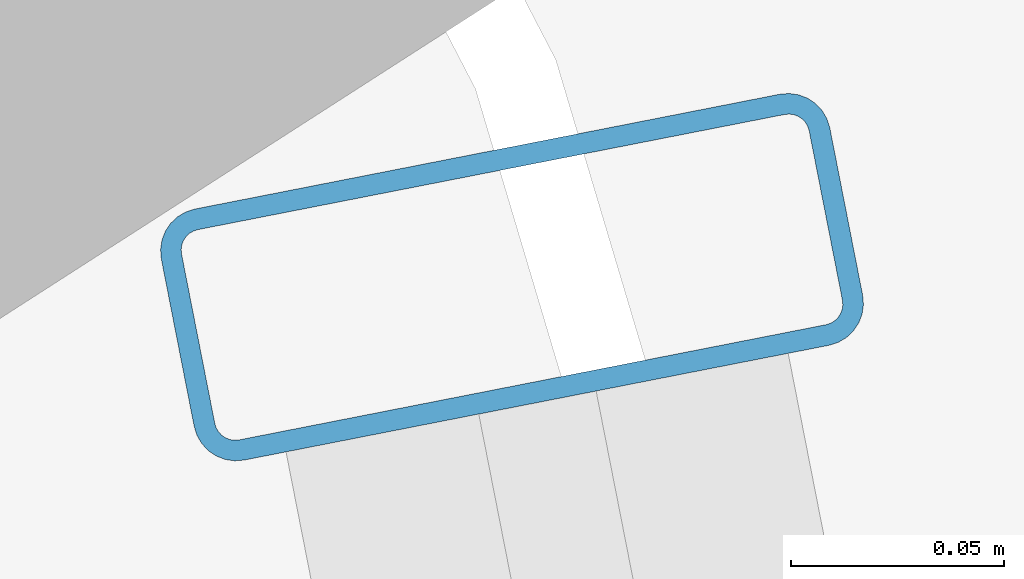
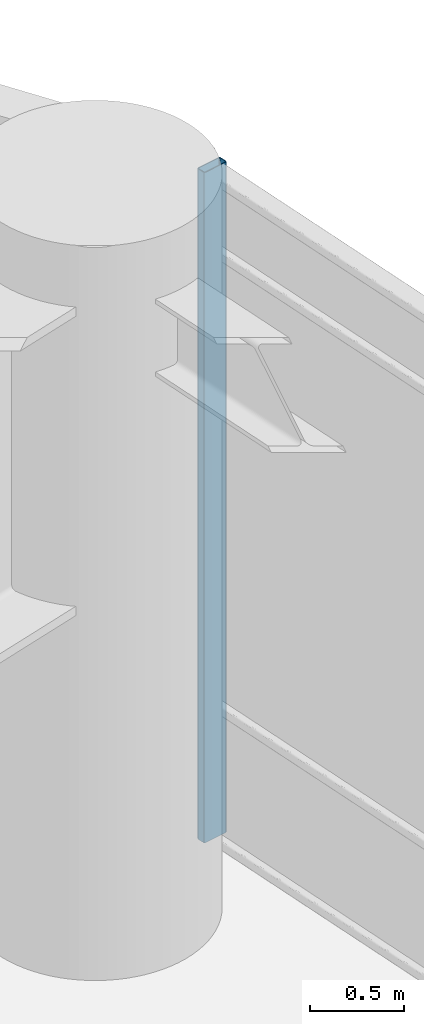
# One storey, part 25 of 34: 1 member, 1 element without a shape of its own.
"""IFC4 building model written with IfcOpenShell, lengths in metres."""

from ifc_helpers import new_model, si_unit, direction, frame, origin, origin_2d, place, context, subcontext, project, spatial, hollow_rectangle, extrude, material, layer, layer_set, material_profile, profile_set, type_object, element, aggregate, save


model = new_model("IFC4")

# Units and contexts
model_context = context("Model", 3, precision=1e-05, world=origin(), true_north=direction((0.0, 1.0)))
body_context = subcontext(model_context, "Body", "Model", "MODEL_VIEW")
ifc_project = project(units=[si_unit("LENGTHUNIT", "METRE"), si_unit("AREAUNIT", "SQUARE_METRE"), si_unit("VOLUMEUNIT", "CUBIC_METRE"), si_unit("PLANEANGLEUNIT", "RADIAN"), si_unit("MASSUNIT", "GRAM", prefix="KILO")], contexts=[model_context])

# Site, building, storey
site_placement = place(None, origin())
site = spatial("IfcSite", under=ifc_project, at=site_placement, CompositionType="ELEMENT")
building_placement = place(site_placement, origin())
building = spatial("IfcBuilding", under=site, at=building_placement, Name="Kelanora Arch Commons", CompositionType="ELEMENT")
storey_placement = place(building_placement, frame((0.0, 0.0, 125.10009765625)))
storey = spatial("IfcBuildingStorey", under=building, at=storey_placement, Name="L32", CompositionType="ELEMENT", Elevation=125.10009765625)

# Curtain wall, member
ifc_material_1 = material(Name="Terracotta ceramic-fritted low-E glass and aluminium", Category="masonry")
ifc_layer = layer(ifc_material_1, 0.159912109375)
ifc_layer_set = layer_set([ifc_layer], Name="Terracotta ceramic-fritted low-E glass and aluminium")
curtain_wall_type = type_object("IfcCurtainWallType", Name="CW-SYS-01", PredefinedType="NOTDEFINED", material=ifc_layer_set)
curtain_wall_placement = place(storey_placement, origin())
curtain_wall = element("IfcCurtainWall", 1, at=curtain_wall_placement, inside=storey, type_object=curtain_wall_type, Name="Unitised Curtain Wall L32-B00", PredefinedType="NOTDEFINED")
ifc_material_2 = material(Name="Powder-coated aluminium terracotta", Category="masonry")
ifc_material_profile = material_profile(ifc_material_2, hollow_rectangle(XDim=0.159912109375, YDim=0.06005859375, WallThickness=0.0048828125, InnerFilletRadius=0.0048828125, OuterFilletRadius=0.010009765625, at=origin_2d()), Name="CWM160x60")
ifc_profile_set = profile_set([ifc_material_profile], Name="Powder-coated aluminium terracotta")
member_type = type_object("IfcMemberType", Name="CWM-STD", PredefinedType="MULLION", material=ifc_profile_set)
member_placement = place(storey_placement, frame((98.064697265625, 65.822265625, 0.0), z_axis=(0.0, 0.0, 1.0), x_axis=(-0.981280311646, -0.192584916272, 0.0)))
member = element("IfcMember", 2, at=member_placement, type_object=member_type, Name="CW-01 mullion 3", PredefinedType="MULLION", context=body_context, shape_type="SweptSolid", body=[
    extrude(hollow_rectangle(XDim=0.159912109375, YDim=0.06005859375, WallThickness=0.0048828125, InnerFilletRadius=0.0048828125, OuterFilletRadius=0.010009765625, at=origin_2d()), origin(), (0.0, 0.0, 1.0), 4.344970703125),
])
aggregate(curtain_wall, [member])

save(model, "model.ifc")
